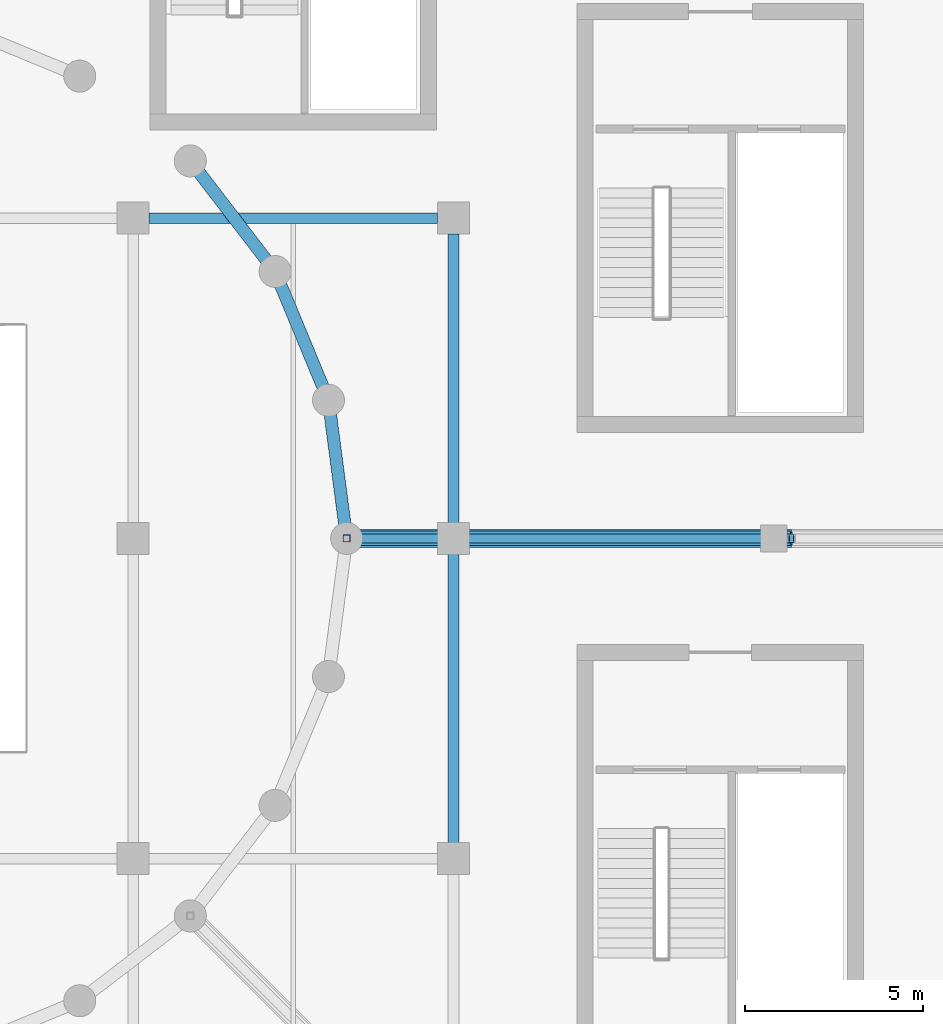
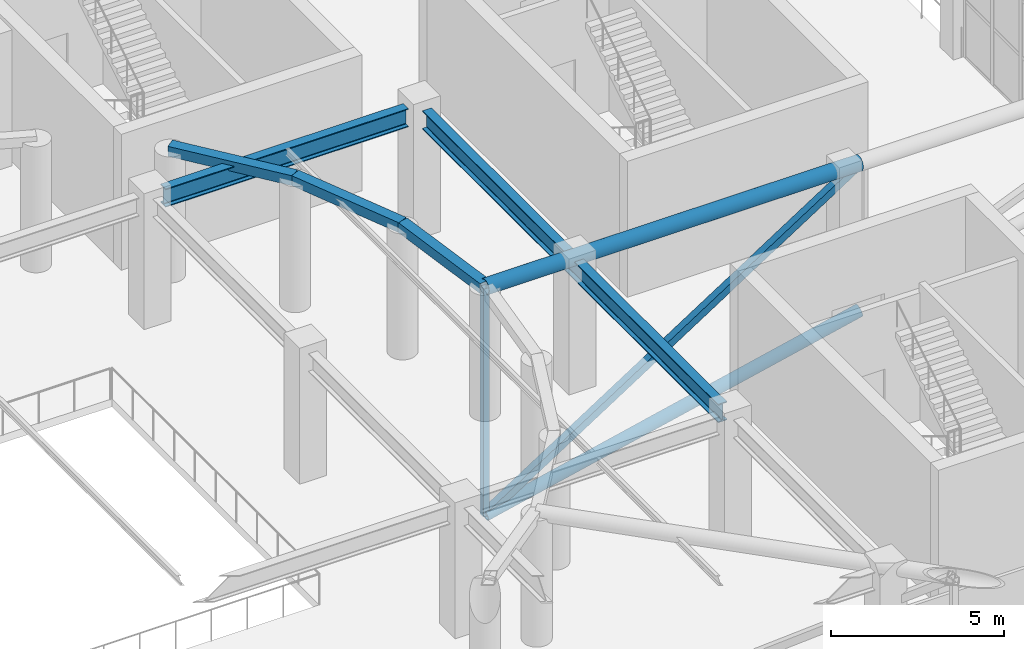
# One storey, part 70 of 167: 7 members, 2 beams.
"""IFC4 building model written with IfcOpenShell, lengths in metres."""

import ifcopenshell
import ifcopenshell.guid

model = None  # the IFC model being written
_history = None  # IfcOwnerHistory: only IFC2X3 demands one
_inside = {}  # id of a spatial element -> (the spatial element, [elements in it])
_under = {}  # id of a project, library or spatial element -> (it, [spatial elements below it])
_declared = {}  # id of a project -> (the project, [libraries it declares])
_typed = {}  # id of a type object -> (the type object, [elements of that type])
_made_of = {}  # id of a material, layer set ... -> (it, [elements and type objects made of it])


def new_model(schema):
    """Start an empty IFC model of exactly this schema.

    Asked for "IFC4X3", IfcOpenShell would pick the latest addendum, in which some entities
    have other attributes; the version numbers below select the first issue.
    IFC2X3 requires an IfcOwnerHistory on every rooted entity: one is made here for all.
    """
    global model, _history
    if schema == "IFC4X3":
        model = ifcopenshell.file(schema_version=(4, 3, 0, 0))
    else:
        model = ifcopenshell.file(schema=schema)
    _inside.clear()
    _under.clear()
    _declared.clear()
    _typed.clear()
    _made_of.clear()
    _history = None
    if model.schema == "IFC2X3":
        org = make("IfcOrganization", Name="unknown")
        user = make(
            "IfcPersonAndOrganization",
            ThePerson=make("IfcPerson", FamilyName="unknown"),
            TheOrganization=org,
        )
        app = make(
            "IfcApplication",
            ApplicationDeveloper=org,
            Version="unknown",
            ApplicationFullName="unknown",
            ApplicationIdentifier="unknown",
        )
        _history = make(
            "IfcOwnerHistory",
            OwningUser=user,
            OwningApplication=app,
            ChangeAction="ADDED",
            CreationDate=0,
        )
    return model


def make(cls, **values):
    """One entity of the class cls with the attributes given. An attribute that is None is left unset."""
    return model.create_entity(
        cls, **{name: value for name, value in values.items() if value is not None}
    )


def rooted(cls, **values):
    """An entity with a GlobalId (a new one), such as an element, a storey or a relation."""
    return make(cls, GlobalId=ifcopenshell.guid.new(), OwnerHistory=_history, **values)


def si_unit(unit_type, name, prefix=None):
    """IfcSIUnit, for example si_unit("LENGTHUNIT", "METRE", prefix="MILLI")."""
    return make("IfcSIUnit", UnitType=unit_type, Prefix=prefix, Name=name)


def assignment(units):
    """IfcUnitAssignment: the units of a project."""
    return None if units is None else make("IfcUnitAssignment", Units=units)


def point(xyz):
    """IfcCartesianPoint."""
    return None if xyz is None else make("IfcCartesianPoint", Coordinates=xyz)


def direction(xyz):
    """IfcDirection."""
    return None if xyz is None else make("IfcDirection", DirectionRatios=xyz)


def frame(location, z_axis=None, x_axis=None):
    """IfcAxis2Placement3D, a coordinate frame: its origin and axes. An axis left out is left unset."""
    return make(
        "IfcAxis2Placement3D",
        Location=point(location),
        Axis=direction(z_axis),
        RefDirection=direction(x_axis),
    )


def frame_2d(location, x_axis=None):
    """IfcAxis2Placement2D, a coordinate frame in the plane: its origin and x axis."""
    return make(
        "IfcAxis2Placement2D", Location=point(location), RefDirection=direction(x_axis)
    )


def origin():
    """The frame at (0, 0, 0) with its axes left unset."""
    return frame((0.0, 0.0, 0.0))


def origin_2d():
    """The frame at (0, 0) in the plane with its x axis left unset."""
    return frame_2d((0.0, 0.0))


def place(relative_to, where):
    """IfcLocalPlacement: puts the frame where relative to a parent placement (None: the world)."""
    return make(
        "IfcLocalPlacement", PlacementRelTo=relative_to, RelativePlacement=where
    )


def context(
    kind, dimensions, precision=None, world=None, true_north=None, identifier=None
):
    """IfcGeometricRepresentationContext, for example the 3D "Model" context."""
    return make(
        "IfcGeometricRepresentationContext",
        ContextIdentifier=identifier,
        ContextType=kind,
        CoordinateSpaceDimension=dimensions,
        Precision=precision,
        WorldCoordinateSystem=world,
        TrueNorth=true_north,
    )


def subcontext(parent, identifier, kind, view, scale=None):
    """IfcGeometricRepresentationSubContext, for example "Body" below "Model"."""
    return make(
        "IfcGeometricRepresentationSubContext",
        ContextIdentifier=identifier,
        ContextType=kind,
        ParentContext=parent,
        TargetScale=scale,
        TargetView=view,
    )


def project(units=None, contexts=None):
    """IfcProject with its units and contexts."""
    return rooted(
        "IfcProject",
        Name="project",
        RepresentationContexts=contexts,
        UnitsInContext=assignment(units),
    )


def spatial(cls, under=None, at=None, **own):
    """A site, building, storey or space (cls), placed at a placement, below another one or the project."""
    s = rooted(cls, ObjectPlacement=at, **own)
    if under is not None:
        _under.setdefault(under.id(), (under, []))[1].append(s)
    return s


def profile(cls, at=None, kind="AREA", **sizes):
    """A parametric profile (cls). Its sizes go by their IFC names, for example OverallWidth=200.0."""
    return make(cls, ProfileType=kind, Position=at, **sizes)


def hollow_rectangle(**sizes):
    """IfcRectangleHollowProfileDef."""
    return profile("IfcRectangleHollowProfileDef", **sizes)


def hollow_circle(**sizes):
    """IfcCircleHollowProfileDef."""
    return profile("IfcCircleHollowProfileDef", **sizes)


def i_section(**sizes):
    """IfcIShapeProfileDef."""
    return profile("IfcIShapeProfileDef", **sizes)


def extrude(swept, where, along, depth):
    """IfcExtrudedAreaSolid: the profile swept, set in the frame where, extruded along a direction by depth."""
    return make(
        "IfcExtrudedAreaSolid",
        SweptArea=swept,
        Position=where,
        ExtrudedDirection=direction(along),
        Depth=depth,
    )


def shape(context_of_items, identifier, shape_type, items):
    """IfcShapeRepresentation: the items that make up one representation, for example the "Body"."""
    return make(
        "IfcShapeRepresentation",
        ContextOfItems=context_of_items,
        RepresentationIdentifier=identifier,
        RepresentationType=shape_type,
        Items=items,
    )


def material(Name=None, Category=None):
    """IfcMaterial."""
    return make("IfcMaterial", Name=Name, Category=Category)


def material_profile(
    of_material, cross_section, Name=None, Category=None, Priority=None
):
    """IfcMaterialProfile: a cross section and its material."""
    return make(
        "IfcMaterialProfile",
        Name=Name,
        Material=of_material,
        Profile=cross_section,
        Priority=Priority,
        Category=Category,
    )


def profile_set(profiles, Name=None, composite=None):
    """IfcMaterialProfileSet."""
    return make(
        "IfcMaterialProfileSet",
        Name=Name,
        MaterialProfiles=profiles,
        CompositeProfile=composite,
    )


def made_of(thing, what):
    """Note that an element or type object is made of a material, layer set ...; save() writes the relation."""
    if what is not None:
        _made_of.setdefault(what.id(), (what, []))[1].append(thing)
    return thing


def type_object(cls, material=None, **own):
    """A type object (cls), such as IfcWallType, which elements share."""
    return made_of(rooted(cls, **own), material)


def element(
    cls,
    number,
    at=None,
    inside=None,
    cuts=None,
    type_object=None,
    material=None,
    context=None,
    identifier="Body",
    shape_type=None,
    held_by="IfcProductDefinitionShape",
    body=None,
    shapes=None,
    **own,
):
    """One element of the class cls, such as IfcWall. Its Tag is "e" and its number.

    at: its placement. inside: the storey or other place that contains it. cuts: it is an
    opening in that element (IfcRelVoidsElement). A single representation is given by context,
    identifier, shape_type and body (its items); several are given by shapes. held_by: the class
    of the entity that holds the representations. save() writes the other relations.
    """
    e = rooted(cls, Tag="e%d" % number, ObjectPlacement=at, **own)
    if body is not None:
        shapes = [shape(context, identifier, shape_type, body)]
    if shapes is not None:
        e.Representation = make(held_by, Representations=shapes)
    if inside is not None:
        _inside.setdefault(inside.id(), (inside, []))[1].append(e)
    if cuts is not None:
        rooted(
            "IfcRelVoidsElement", RelatingBuildingElement=cuts, RelatedOpeningElement=e
        )
    if type_object is not None:
        _typed.setdefault(type_object.id(), (type_object, []))[1].append(e)
    return made_of(e, material)


def aggregate(whole, parts):
    """IfcRelAggregates: a whole, such as a stair, and the parts it consists of."""
    return rooted("IfcRelAggregates", RelatingObject=whole, RelatedObjects=parts)


def save(model, path):
    """Write the relations noted so far, then the file.

    IfcRelAggregates (storeys below a building ...), IfcRelContainedInSpatialStructure (elements
    in a storey), IfcRelDefinesByType, IfcRelAssociatesMaterial and IfcRelDeclares: one each for
    every whole, place, type object, material and project.
    """
    for whole, parts in _under.values():
        aggregate(whole, parts)
    for where, things in _inside.values():
        rooted(
            "IfcRelContainedInSpatialStructure",
            RelatedElements=things,
            RelatingStructure=where,
        )
    for kind, things in _typed.values():
        rooted("IfcRelDefinesByType", RelatedObjects=things, RelatingType=kind)
    for what, things in _made_of.values():
        rooted("IfcRelAssociatesMaterial", RelatedObjects=things, RelatingMaterial=what)
    for by, libraries in _declared.values():
        rooted("IfcRelDeclares", RelatingContext=by, RelatedDefinitions=libraries)
    model.write(path)


model = new_model("IFC4")

# Units and contexts
model_context = context("Model", 3, precision=1e-05, world=origin(), true_north=direction((0.0, 1.0)))
body_context = subcontext(model_context, "Body", "Model", "MODEL_VIEW")
ifc_project = project(units=[si_unit("LENGTHUNIT", "METRE"), si_unit("AREAUNIT", "SQUARE_METRE"), si_unit("VOLUMEUNIT", "CUBIC_METRE"), si_unit("PLANEANGLEUNIT", "RADIAN"), si_unit("MASSUNIT", "GRAM", prefix="KILO")], contexts=[model_context])

# Site, building, storey
site_placement = place(None, origin())
site = spatial("IfcSite", under=ifc_project, at=site_placement, CompositionType="ELEMENT")
building_placement = place(site_placement, origin())
building = spatial("IfcBuilding", under=site, at=building_placement, Name="Dornveld Trade and Exhibition Forum", CompositionType="ELEMENT")
storey_placement = place(building_placement, frame((0.0, 0.0, 16.800048828125)))
storey = spatial("IfcBuildingStorey", under=building, at=storey_placement, Name="L03", CompositionType="ELEMENT", Elevation=16.800048828125)

# Beams
ifc_material_1 = material(Name="Steel S355J2", Category="steel")
ifc_material_profile_1 = material_profile(ifc_material_1, i_section(OverallWidth=0.300048828125, OverallDepth=0.64990234375, WebThickness=0.01611328125, FlangeThickness=0.031005859375, FilletRadius=0.027099609375, at=origin_2d()), Name="HEB 650")
ifc_profile_set_1 = profile_set([ifc_material_profile_1], Name="Steel S355J2")
beam_type = type_object("IfcBeamType", Name="BM-GIR-HEB650", PredefinedType="USERDEFINED", material=ifc_profile_set_1)
beam_1_placement = place(storey_placement, frame((126.446044921875, 90.0, 4.15283203125), z_axis=(1.0, 0.0, 0.0), x_axis=(0.0, 1.0, 0.0)))
element("IfcBeam", 1, at=beam_1_placement, inside=storey, type_object=beam_type, Name="L03 X-girder 1659", ObjectType="GIRDER", PredefinedType="USERDEFINED", context=body_context, shape_type="SweptSolid", body=[
    extrude(i_section(OverallWidth=0.300048828125, OverallDepth=0.64990234375, WebThickness=0.01611328125, FlangeThickness=0.031005859375, FilletRadius=0.027099609375, at=origin_2d()), origin(), (0.0, 0.0, 1.0), 8.10791015625),
])
beam_2_placement = place(storey_placement, frame((135.0, 72.446044921875, 4.15283203125), z_axis=(0.0, 1.0, 0.0), x_axis=(-1.0, 0.0, 0.0)))
element("IfcBeam", 2, at=beam_2_placement, inside=storey, type_object=beam_type, Name="L03 Y-girder 1667", ObjectType="GIRDER", PredefinedType="USERDEFINED", context=body_context, shape_type="SweptSolid", body=[
    extrude(i_section(OverallWidth=0.300048828125, OverallDepth=0.64990234375, WebThickness=0.01611328125, FlangeThickness=0.031005859375, FilletRadius=0.027099609375, at=origin_2d()), origin(), (0.0, 0.0, 1.0), 17.10791015625),
])

# Members
ifc_material_2 = material(Name="Steel S355J2", Category="steel")
ifc_material_profile_2 = material_profile(ifc_material_2, hollow_circle(Radius=0.203125, WallThickness=0.02001953125, at=origin_2d()), Name="CHS 406.4x20")
ifc_profile_set_2 = profile_set([ifc_material_profile_2], Name="Steel S355J2")
member_type_1 = type_object("IfcMemberType", Name="MEM-DISC-BC", PredefinedType="CHORD", material=ifc_profile_set_2)
member_1_placement = place(storey_placement, frame((132.0, 81.0, -3.60009765625), z_axis=(0.975183720687, 0.0, 0.221397179087), x_axis=(0.0, 1.0, 0.0)))
element("IfcMember", 3, at=member_1_placement, inside=storey, type_object=member_type_1, Name="Roof disc radial R01 conical bottom chord 1", PredefinedType="CHORD", context=body_context, shape_type="SweptSolid", body=[
    extrude(hollow_circle(Radius=0.203125, WallThickness=0.02001953125, at=origin_2d()), origin(), (0.0, 0.0, 1.0), 12.818115234375),
])
ifc_material_3 = material(Name="Steel S355J2", Category="steel")
ifc_material_profile_3 = material_profile(ifc_material_3, hollow_rectangle(XDim=0.35009765625, YDim=0.35009765625, WallThickness=0.01611328125, at=origin_2d()), Name="SHS 350x350x16")
ifc_profile_set_3 = profile_set([ifc_material_profile_3], Name="Steel S355J2")
member_type_2 = type_object("IfcMemberType", Name="MEM-DISC-RING", PredefinedType="CHORD", material=ifc_profile_set_3)
for number, where, z_axis, x_axis, name in (
    (4, (132.0, 81.0, 4.449951171875), (-0.130493219672, 0.991449201734, 0.0), (-0.991449201734, -0.130493219672, 0.0), "Roof disc ring 1 chord 1"),
    (5, (131.489013671875, 84.88232421875, 4.449951171875), (-0.382693194178, 0.923875488976, 0.0), (-0.923875488976, -0.382693194178, 0.0), "Roof disc ring 1 chord 2"),
    (6, (129.990478515625, 88.5, 4.449951171875), (-0.608752171023, 0.793360444108, 0.0), (-0.793360444108, -0.608752171023, 0.0), "Roof disc ring 1 chord 3"),
):
    element("IfcMember", number, at=place(storey_placement, frame(where, z_axis=z_axis, x_axis=x_axis)), inside=storey, type_object=member_type_2, Name=name, PredefinedType="CHORD", context=body_context, shape_type="SweptSolid", body=[
        extrude(hollow_rectangle(XDim=0.35009765625, YDim=0.35009765625, WallThickness=0.01611328125, at=origin_2d()), origin(), (0.0, 0.0, 1.0), 3.915771484375),
    ])
ifc_material_4 = material(Name="Steel S355J2", Category="steel")
ifc_material_profile_4 = material_profile(ifc_material_4, hollow_rectangle(XDim=0.199951171875, YDim=0.199951171875, WallThickness=0.010009765625, at=origin_2d()), Name="SHS 200x200x10")
ifc_profile_set_4 = profile_set([ifc_material_profile_4], Name="Steel S355J2")
member_type_3 = type_object("IfcMemberType", Name="MEM-DISC-STR", PredefinedType="STRUT", material=ifc_profile_set_4)
member_2_placement = place(storey_placement, frame((132.0, 81.0, -3.60009765625), z_axis=(0.0, 0.0, 1.0), x_axis=(1.0, 0.0, 0.0)))
element("IfcMember", 7, at=member_2_placement, inside=storey, type_object=member_type_3, Name="Roof disc radial R01 strut 1", PredefinedType="STRUT", context=body_context, shape_type="SweptSolid", body=[
    extrude(hollow_rectangle(XDim=0.199951171875, YDim=0.199951171875, WallThickness=0.010009765625, at=origin_2d()), origin(), (0.0, 0.0, 1.0), 8.050048828125),
])
ifc_material_5 = material(Name="Steel S355J2", Category="steel")
ifc_material_profile_5 = material_profile(ifc_material_5, hollow_circle(Radius=0.25390625, WallThickness=0.02490234375, at=origin_2d()), Name="CHS 508x25")
ifc_profile_set_5 = profile_set([ifc_material_profile_5], Name="Steel S355J2")
member_type_4 = type_object("IfcMemberType", Name="MEM-DISC-TC", PredefinedType="CHORD", material=ifc_profile_set_5)
member_3_placement = place(storey_placement, frame((132.0, 81.0, 4.449951171875), z_axis=(1.0, 0.0, 0.0), x_axis=(0.0, 1.0, 0.0)))
element("IfcMember", 8, at=member_3_placement, inside=storey, type_object=member_type_4, Name="Roof disc radial R01 top chord 1", PredefinedType="CHORD", context=body_context, shape_type="SweptSolid", body=[
    extrude(hollow_circle(Radius=0.25390625, WallThickness=0.02490234375, at=origin_2d()), origin(), (0.0, 0.0, 1.0), 12.5),
])
ifc_material_6 = material(Name="Steel S355J2", Category="steel")
ifc_material_profile_6 = material_profile(ifc_material_6, hollow_rectangle(XDim=0.25, YDim=0.25, WallThickness=0.012451171875, at=origin_2d()), Name="SHS 250x250x12.5")
ifc_profile_set_6 = profile_set([ifc_material_profile_6], Name="Steel S355J2")
member_type_5 = type_object("IfcMemberType", Name="MEM-DISC-WEB", PredefinedType="BRACE", material=ifc_profile_set_6)
member_4_placement = place(storey_placement, frame((132.0, 81.0, -3.60009765625), z_axis=(0.840739641667, 0.0, 0.541439613373), x_axis=(0.0, 1.0, 0.0)))
element("IfcMember", 9, at=member_4_placement, inside=storey, type_object=member_type_5, Name="Roof disc radial R01 web 1", PredefinedType="BRACE", context=body_context, shape_type="SweptSolid", body=[
    extrude(hollow_rectangle(XDim=0.25, YDim=0.25, WallThickness=0.012451171875, at=origin_2d()), origin(), (0.0, 0.0, 1.0), 14.867919921875),
])

save(model, "model.ifc")
